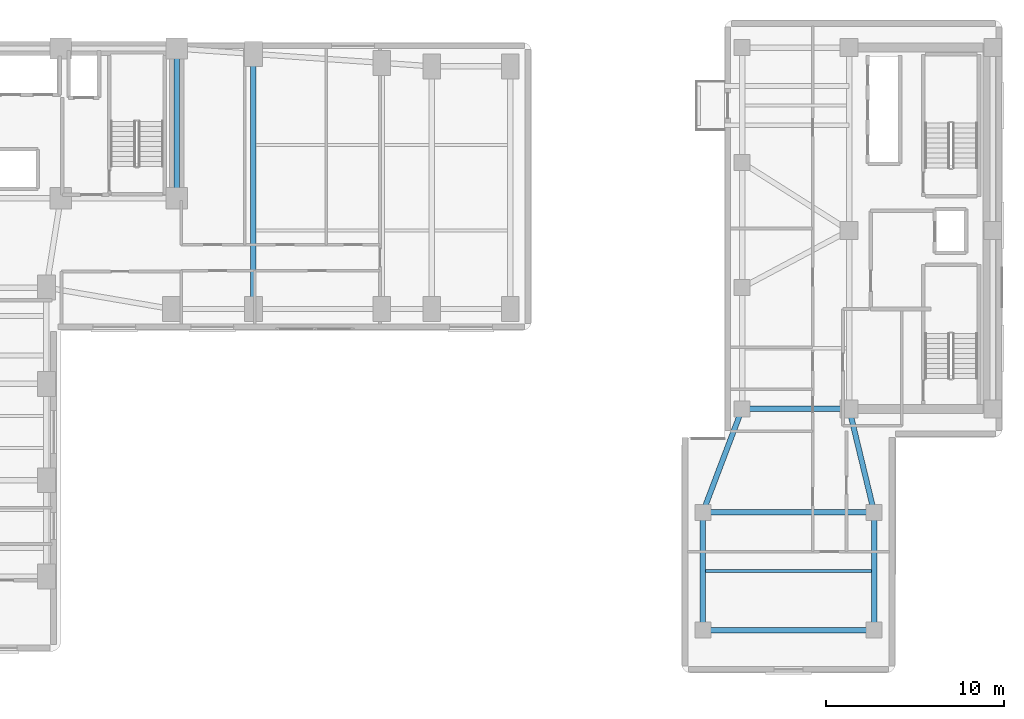
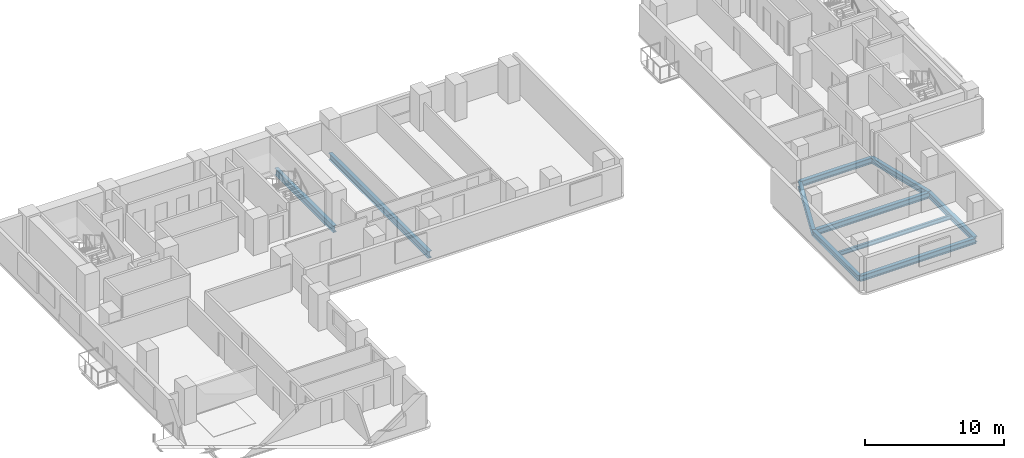
# One storey, part 5 of 16: 10 beams.
"""IFC4 building model written with IfcOpenShell, lengths in metres."""

from ifc_helpers import new_model, si_unit, direction, frame, origin, origin_2d, place, context, subcontext, project, spatial, i_section, extrude, material, material_profile, profile_set, type_object, element, save


model = new_model("IFC4")

# Units and contexts
model_context = context("Model", 3, precision=1e-05, world=origin(), true_north=direction((0.0, 1.0)))
body_context = subcontext(model_context, "Body", "Model", "MODEL_VIEW")
ifc_project = project(units=[si_unit("LENGTHUNIT", "METRE"), si_unit("AREAUNIT", "SQUARE_METRE"), si_unit("VOLUMEUNIT", "CUBIC_METRE"), si_unit("PLANEANGLEUNIT", "RADIAN"), si_unit("MASSUNIT", "GRAM", prefix="KILO")], contexts=[model_context])

# Site, building, storey
site_placement = place(None, origin())
site = spatial("IfcSite", under=ifc_project, at=site_placement, CompositionType="ELEMENT")
building_placement = place(site_placement, origin())
building = spatial("IfcBuilding", under=site, at=building_placement, Name="Kuzgunbayir Cultural Tower", CompositionType="ELEMENT")
storey_placement = place(building_placement, frame((0.0, 0.0, 66.0)))
storey = spatial("IfcBuildingStorey", under=building, at=storey_placement, Name="L18", CompositionType="ELEMENT", Elevation=66.0)

# Beams
ifc_material = material(Name="Steel S355J2", Category="steel")
ifc_material_profile_1 = material_profile(ifc_material, i_section(OverallWidth=0.300048828125, OverallDepth=0.5, WebThickness=0.014404296875, FlangeThickness=0.028076171875, FilletRadius=0.027099609375, at=origin_2d()), Name="HEB 500")
ifc_profile_set_1 = profile_set([ifc_material_profile_1], Name="Steel S355J2")
beam_type_1 = type_object("IfcBeamType", Name="BM-EXT-HEB500", PredefinedType="BEAM", material=ifc_profile_set_1)
beam_1_placement = place(storey_placement, frame((56.39990234375, 9.60009765625, -0.429931640625), z_axis=(0.0, 1.0, 0.0), x_axis=(-1.0, 0.0, 0.0)))
element("IfcBeam", 1, at=beam_1_placement, inside=storey, type_object=beam_type_1, Name="L18 Companion Wing B West Girder", PredefinedType="BEAM", context=body_context, shape_type="SweptSolid", body=[
    extrude(i_section(OverallWidth=0.300048828125, OverallDepth=0.5, WebThickness=0.014404296875, FlangeThickness=0.028076171875, FilletRadius=0.027099609375, at=origin_2d()), origin(), (0.0, 0.0, 1.0), 6.599853515625),
])
beam_2_placement = place(storey_placement, frame((56.39990234375, 16.199951171875, -0.429931640625), z_axis=(0.354679148754, 0.93498807556, 0.0), x_axis=(-0.93498807556, 0.354679148754, 0.0)))
element("IfcBeam", 2, at=beam_2_placement, inside=storey, type_object=beam_type_1, Name="L18 Companion Wing B Floor Girder W", PredefinedType="BEAM", context=body_context, shape_type="SweptSolid", body=[
    extrude(i_section(OverallWidth=0.300048828125, OverallDepth=0.5, WebThickness=0.014404296875, FlangeThickness=0.028076171875, FilletRadius=0.027099609375, at=origin_2d()), origin(), (0.0, 0.0, 1.0), 6.203369140625),
])
beam_3_placement = place(storey_placement, frame((66.0, 9.60009765625, -0.429931640625), z_axis=(0.0, 1.0, 0.0), x_axis=(-1.0, 0.0, 0.0)))
element("IfcBeam", 3, at=beam_3_placement, inside=storey, type_object=beam_type_1, Name="L18 Companion Wing B East Girder", PredefinedType="BEAM", context=body_context, shape_type="SweptSolid", body=[
    extrude(i_section(OverallWidth=0.300048828125, OverallDepth=0.5, WebThickness=0.014404296875, FlangeThickness=0.028076171875, FilletRadius=0.027099609375, at=origin_2d()), origin(), (0.0, 0.0, 1.0), 6.599853515625),
])
beam_4_placement = place(storey_placement, frame((66.0, 16.199951171875, -0.429931640625), z_axis=(-0.234623200431, 0.972086392158, 0.0), x_axis=(-0.972086392158, -0.234623200431, 0.0)))
element("IfcBeam", 4, at=beam_4_placement, inside=storey, type_object=beam_type_1, Name="L18 Companion Wing B Floor Girder E", PredefinedType="BEAM", context=body_context, shape_type="SweptSolid", body=[
    extrude(i_section(OverallWidth=0.300048828125, OverallDepth=0.5, WebThickness=0.014404296875, FlangeThickness=0.028076171875, FilletRadius=0.027099609375, at=origin_2d()), origin(), (0.0, 0.0, 1.0), 5.966552734375),
])
beam_5_placement = place(storey_placement, frame((56.39990234375, 9.60009765625, -0.429931640625), z_axis=(1.0, 0.0, 0.0), x_axis=(0.0, 1.0, 0.0)))
element("IfcBeam", 5, at=beam_5_placement, inside=storey, type_object=beam_type_1, Name="L18 Companion Wing B South Girder", PredefinedType="BEAM", context=body_context, shape_type="SweptSolid", body=[
    extrude(i_section(OverallWidth=0.300048828125, OverallDepth=0.5, WebThickness=0.014404296875, FlangeThickness=0.028076171875, FilletRadius=0.027099609375, at=origin_2d()), origin(), (0.0, 0.0, 1.0), 9.60009765625),
])
ifc_material_profile_2 = material_profile(ifc_material, i_section(OverallWidth=0.300048828125, OverallDepth=0.5, WebThickness=0.014404296875, FlangeThickness=0.028076171875, FilletRadius=0.027099609375, at=origin_2d()), Name="HEB 500")
ifc_profile_set_2 = profile_set([ifc_material_profile_2], Name="Steel S355J2")
beam_type_2 = type_object("IfcBeamType", Name="BM-GIR-HEB500", PredefinedType="BEAM", material=ifc_profile_set_2)
beam_6_placement = place(storey_placement, frame((58.60009765625, 22.0, -0.429931640625), z_axis=(1.0, 0.0, 0.0), x_axis=(0.0, 1.0, 0.0)))
element("IfcBeam", 6, at=beam_6_placement, inside=storey, type_object=beam_type_2, Name="L18 Companion Transverse Girder 1", PredefinedType="BEAM", context=body_context, shape_type="SweptSolid", body=[
    extrude(i_section(OverallWidth=0.300048828125, OverallDepth=0.5, WebThickness=0.014404296875, FlangeThickness=0.028076171875, FilletRadius=0.027099609375, at=origin_2d()), origin(), (0.0, 0.0, 1.0), 6.0),
])
beam_7_placement = place(storey_placement, frame((56.39990234375, 16.199951171875, -0.429931640625), z_axis=(1.0, 0.0, 0.0), x_axis=(0.0, 1.0, 0.0)))
element("IfcBeam", 7, at=beam_7_placement, inside=storey, type_object=beam_type_2, Name="L18 Companion Wing B Mid Girder", PredefinedType="BEAM", context=body_context, shape_type="SweptSolid", body=[
    extrude(i_section(OverallWidth=0.300048828125, OverallDepth=0.5, WebThickness=0.014404296875, FlangeThickness=0.028076171875, FilletRadius=0.027099609375, at=origin_2d()), origin(), (0.0, 0.0, 1.0), 9.60009765625),
])
ifc_material_profile_3 = material_profile(ifc_material, i_section(OverallWidth=0.300048828125, OverallDepth=0.60009765625, WebThickness=0.015380859375, FlangeThickness=0.030029296875, FilletRadius=0.027099609375, at=origin_2d()), Name="HEB 600")
ifc_profile_set_3 = profile_set([ifc_material_profile_3], Name="Steel S355J2")
beam_type_3 = type_object("IfcBeamType", Name="BM-GIR-HEB600", PredefinedType="BEAM", material=ifc_profile_set_3)
beam_8_placement = place(storey_placement, frame((26.89990234375, 33.800048828125, -0.47998046875), z_axis=(0.0, 1.0, 0.0), x_axis=(-1.0, 0.0, 0.0)))
element("IfcBeam", 8, at=beam_8_placement, inside=storey, type_object=beam_type_3, Name="L18 Core East Edge Girder", PredefinedType="BEAM", context=body_context, shape_type="SweptSolid", body=[
    extrude(i_section(OverallWidth=0.300048828125, OverallDepth=0.60009765625, WebThickness=0.015380859375, FlangeThickness=0.030029296875, FilletRadius=0.027099609375, at=origin_2d()), origin(), (0.0, 0.0, 1.0), 8.39990234375),
])
beam_9_placement = place(storey_placement, frame((31.199951171875, 27.60009765625, -0.47998046875), z_axis=(0.0, 1.0, 0.0), x_axis=(-1.0, 0.0, 0.0)))
element("IfcBeam", 9, at=beam_9_placement, inside=storey, type_object=beam_type_3, Name="L18 Wing B Cross Girder 31", PredefinedType="BEAM", context=body_context, shape_type="SweptSolid", body=[
    extrude(i_section(OverallWidth=0.300048828125, OverallDepth=0.60009765625, WebThickness=0.015380859375, FlangeThickness=0.030029296875, FilletRadius=0.027099609375, at=origin_2d()), origin(), (0.0, 0.0, 1.0), 14.2998046875),
])
ifc_material_profile_4 = material_profile(ifc_material, i_section(OverallWidth=0.169921875, OverallDepth=0.360107421875, WebThickness=0.008056640625, FlangeThickness=0.0126953125, FilletRadius=0.01806640625, at=origin_2d()), Name="IPE 360")
ifc_profile_set_4 = profile_set([ifc_material_profile_4], Name="Steel S355J2")
beam_type_4 = type_object("IfcBeamType", Name="BM-JST-IPE360", PredefinedType="JOIST", material=ifc_profile_set_4)
beam_10_placement = place(storey_placement, frame((56.550048828125, 12.89990234375, -0.360107421875), z_axis=(1.0, 0.0, 0.0), x_axis=(0.0, 1.0, 0.0)))
element("IfcBeam", 10, at=beam_10_placement, inside=storey, type_object=beam_type_4, Name="L18 Companion Wing B Joist", PredefinedType="JOIST", context=body_context, shape_type="SweptSolid", body=[
    extrude(i_section(OverallWidth=0.169921875, OverallDepth=0.360107421875, WebThickness=0.008056640625, FlangeThickness=0.0126953125, FilletRadius=0.01806640625, at=origin_2d()), origin(), (0.0, 0.0, 1.0), 9.300048828125),
])

save(model, "model.ifc")
